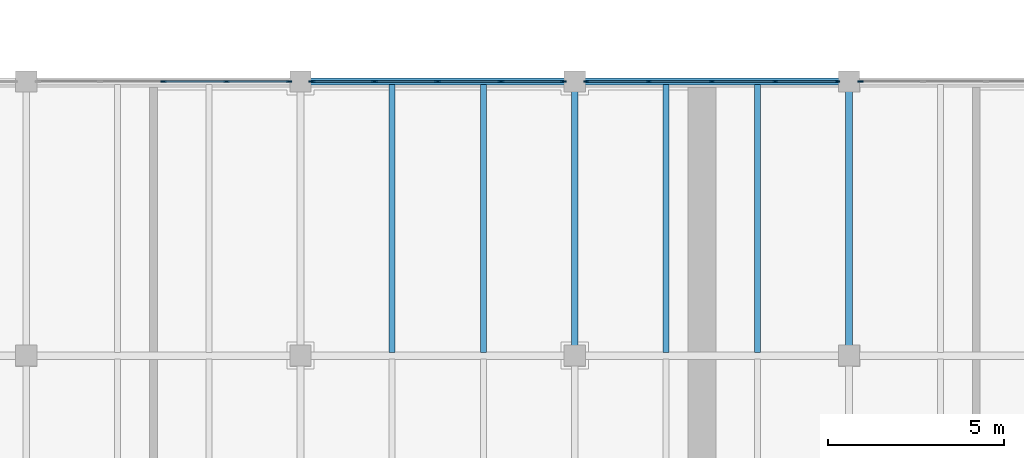
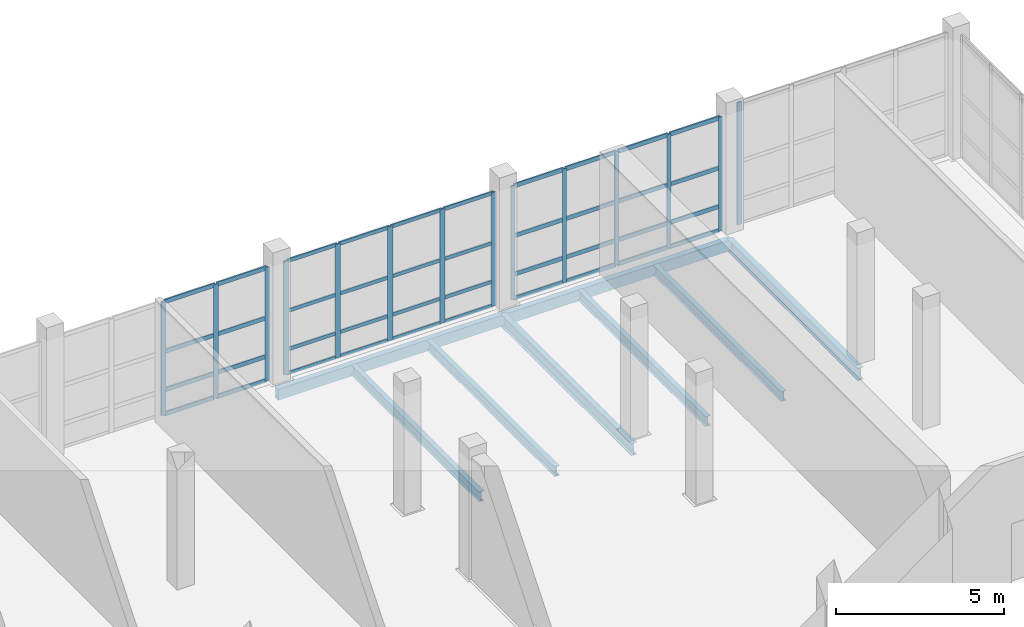
# One storey, part 44 of 131: 54 members, 8 beams, 4 elements without a shape of their own.
"""IFC4 building model written with IfcOpenShell, lengths in metres."""

from ifc_helpers import new_model, si_unit, direction, frame, origin, origin_2d, place, context, subcontext, project, spatial, rectangle, hollow_rectangle, i_section, extrude, material, layer, layer_set, material_profile, profile_set, type_object, element, aggregate, save


model = new_model("IFC4")

# Units and contexts
model_context = context("Model", 3, precision=1e-05, world=origin(), true_north=direction((0.0, 1.0)))
body_context = subcontext(model_context, "Body", "Model", "MODEL_VIEW")
ifc_project = project(units=[si_unit("LENGTHUNIT", "METRE"), si_unit("AREAUNIT", "SQUARE_METRE"), si_unit("VOLUMEUNIT", "CUBIC_METRE"), si_unit("PLANEANGLEUNIT", "RADIAN"), si_unit("MASSUNIT", "GRAM", prefix="KILO")], contexts=[model_context])

# Site, building, storey
site_placement = place(None, origin())
site = spatial("IfcSite", under=ifc_project, at=site_placement, CompositionType="ELEMENT")
building_placement = place(site_placement, origin())
building = spatial("IfcBuilding", under=site, at=building_placement, Name="Celorna Specialist Clinic", CompositionType="ELEMENT")
storey_placement = place(building_placement, origin())
storey = spatial("IfcBuildingStorey", under=building, at=storey_placement, Name="L00", CompositionType="ELEMENT", Elevation=0.0)

# Beams
ifc_material_1 = material(Name="Steel S355", Category="steel")
ifc_material_profile_1 = material_profile(ifc_material_1, i_section(OverallWidth=0.18994140625, OverallDepth=0.449951171875, WebThickness=0.009521484375, FlangeThickness=0.0146484375, at=origin_2d()), Name="IPE 450")
ifc_profile_set_1 = profile_set([ifc_material_profile_1], Name="Steel S355")
beam_type_1 = type_object("IfcBeamType", Name="BM-09", PredefinedType="BEAM", material=ifc_profile_set_1)
for number, where, z_axis, x_axis, name in (
    (1, (31.199951171875, 62.39990234375, -0.60498046875), (0.0, 1.0, 0.0), (-1.0, 0.0, 0.0), "Transverse girder BM-09 #290"),
    (2, (39.0, 62.39990234375, -0.60498046875), (0.0, 1.0, 0.0), (-1.0, 0.0, 0.0), "Transverse girder BM-09 #295"),
):
    element("IfcBeam", number, at=place(storey_placement, frame(where, z_axis=z_axis, x_axis=x_axis)), inside=storey, type_object=beam_type_1, Name=name, PredefinedType="BEAM", context=body_context, shape_type="SweptSolid", body=[
        extrude(i_section(OverallWidth=0.18994140625, OverallDepth=0.449951171875, WebThickness=0.009521484375, FlangeThickness=0.0146484375, at=origin_2d()), origin(), (0.0, 0.0, 1.0), 7.800048828125),
    ])
ifc_material_profile_2 = material_profile(ifc_material_1, i_section(OverallWidth=0.169921875, OverallDepth=0.360107421875, WebThickness=0.008056640625, FlangeThickness=0.0126953125, at=origin_2d()), Name="IPE 360")
ifc_profile_set_2 = profile_set([ifc_material_profile_2], Name="Steel S355")
beam_type_2 = type_object("IfcBeamType", Name="BM-11", PredefinedType="JOIST", material=ifc_profile_set_2)
for number, where, z_axis, x_axis, name in (
    (3, (26.0, 62.488037109375, -0.56005859375), (0.0, 1.0, 0.0), (-1.0, 0.0, 0.0), "Secondary floor joist BM-11 #335"),
    (4, (28.60009765625, 62.488037109375, -0.56005859375), (0.0, 1.0, 0.0), (-1.0, 0.0, 0.0), "Secondary floor joist BM-11 #336"),
    (5, (33.800048828125, 62.488037109375, -0.56005859375), (0.0, 1.0, 0.0), (-1.0, 0.0, 0.0), "Secondary floor joist BM-11 #345"),
    (6, (36.39990234375, 62.488037109375, -0.56005859375), (0.0, 1.0, 0.0), (-1.0, 0.0, 0.0), "Secondary floor joist BM-11 #346"),
):
    element("IfcBeam", number, at=place(storey_placement, frame(where, z_axis=z_axis, x_axis=x_axis)), inside=storey, type_object=beam_type_2, Name=name, PredefinedType="JOIST", context=body_context, shape_type="SweptSolid", body=[
        extrude(i_section(OverallWidth=0.169921875, OverallDepth=0.360107421875, WebThickness=0.008056640625, FlangeThickness=0.0126953125, at=origin_2d()), origin(), (0.0, 0.0, 1.0), 7.6240234375),
    ])
ifc_material_profile_3 = material_profile(ifc_material_1, hollow_rectangle(XDim=0.199951171875, YDim=0.39990234375, WallThickness=0.011962890625, at=origin_2d()), Name="RHS 200x400x12")
ifc_profile_set_3 = profile_set([ifc_material_profile_3], Name="Steel S355")
beam_type_3 = type_object("IfcBeamType", Name="BM-15", PredefinedType="SPANDREL", material=ifc_profile_set_3)
for number, where, z_axis, x_axis, name in (
    (7, (23.39990234375, 70.199951171875, -0.580078125), (1.0, 0.0, 0.0), (0.0, 1.0, 0.0), "Spandrel beam BM-15 #263"),
    (8, (31.199951171875, 70.199951171875, -0.580078125), (1.0, 0.0, 0.0), (0.0, 1.0, 0.0), "Spandrel beam BM-15 #264"),
):
    element("IfcBeam", number, at=place(storey_placement, frame(where, z_axis=z_axis, x_axis=x_axis)), inside=storey, type_object=beam_type_3, Name=name, PredefinedType="SPANDREL", context=body_context, shape_type="SweptSolid", body=[
        extrude(hollow_rectangle(XDim=0.199951171875, YDim=0.39990234375, WallThickness=0.011962890625, at=origin_2d()), origin(), (0.0, 0.0, 1.0), 7.800048828125),
    ])

# Curtain wall, members
ifc_material_2 = material(Name="Thermally broken aluminium and solar-control glass curtain wall", Category="aluminium")
ifc_layer_1 = layer(ifc_material_2, 0.159912109375, Name="Thermally broken aluminium and solar-control glass curtain wall")
ifc_layer_set_1 = layer_set([ifc_layer_1], Name="Thermally broken aluminium and solar-control glass curtain wall")
curtain_wall_type_1 = type_object("IfcCurtainWallType", Name="CW-16", PredefinedType="NOTDEFINED", material=ifc_layer_set_1)
curtain_wall_1_placement = place(storey_placement, origin())
curtain_wall_1 = element("IfcCurtainWall", 9, at=curtain_wall_1_placement, inside=storey, type_object=curtain_wall_type_1, Name="Curtain wall CW-16 #43", PredefinedType="NOTDEFINED")
ifc_material_3 = material(Name="Anodized aluminium mullion", Category="aluminium")
ifc_material_profile_4 = material_profile(ifc_material_3, rectangle(XDim=0.050048828125, YDim=0.159912109375, at=origin_2d()), Name="ALU MULLION 50x160")
ifc_profile_set_4 = profile_set([ifc_material_profile_4], Name="Anodized aluminium mullion")
member_type_1 = type_object("IfcMemberType", Name="ML-01", PredefinedType="MULLION", material=ifc_profile_set_4)
member_1_placement = place(storey_placement, frame((19.5, 70.199951171875, 0.0), z_axis=(0.0, 0.0, 1.0), x_axis=(0.0, 1.0, 0.0)))
member_1 = element("IfcMember", 10, at=member_1_placement, type_object=member_type_1, Name="CW-16 mullion 3", PredefinedType="MULLION", context=body_context, shape_type="SweptSolid", body=[
    extrude(rectangle(XDim=0.050048828125, YDim=0.159912109375, at=origin_2d()), origin(), (0.0, 0.0, 1.0), 4.139892578125),
])
member_2_placement = place(storey_placement, frame((21.298095703125, 70.199951171875, 0.0), z_axis=(0.0, 0.0, 1.0), x_axis=(0.0, 1.0, 0.0)))
member_2 = element("IfcMember", 11, at=member_2_placement, type_object=member_type_1, Name="CW-16 mullion 4", PredefinedType="MULLION", context=body_context, shape_type="SweptSolid", body=[
    extrude(rectangle(XDim=0.050048828125, YDim=0.159912109375, at=origin_2d()), origin(), (0.0, 0.0, 1.0), 4.139892578125),
])
member_3_placement = place(storey_placement, frame((23.071044921875, 70.199951171875, 0.0), z_axis=(0.0, 0.0, 1.0), x_axis=(0.0, 1.0, 0.0)))
member_3 = element("IfcMember", 12, at=member_3_placement, type_object=member_type_1, Name="CW-16 mullion 5", PredefinedType="MULLION", context=body_context, shape_type="SweptSolid", body=[
    extrude(rectangle(XDim=0.050048828125, YDim=0.159912109375, at=origin_2d()), origin(), (0.0, 0.0, 1.0), 4.139892578125),
])

# Curtain wall, member
ifc_layer_2 = layer(ifc_material_2, 0.159912109375, Name="Thermally broken aluminium and solar-control glass curtain wall")
ifc_layer_set_2 = layer_set([ifc_layer_2], Name="Thermally broken aluminium and solar-control glass curtain wall")
curtain_wall_type_2 = type_object("IfcCurtainWallType", Name="CW-18", PredefinedType="NOTDEFINED", material=ifc_layer_set_2)
curtain_wall_2_placement = place(storey_placement, origin())
curtain_wall_2 = element("IfcCurtainWall", 13, at=curtain_wall_2_placement, inside=storey, type_object=curtain_wall_type_2, Name="Curtain wall CW-18 #46", PredefinedType="NOTDEFINED")
member_4_placement = place(storey_placement, frame((39.3291015625, 70.199951171875, 0.0), z_axis=(0.0, 0.0, 1.0), x_axis=(0.0, 1.0, 0.0)))
member_4 = element("IfcMember", 14, at=member_4_placement, type_object=member_type_1, Name="CW-18 mullion 1", PredefinedType="MULLION", context=body_context, shape_type="SweptSolid", body=[
    extrude(rectangle(XDim=0.050048828125, YDim=0.159912109375, at=origin_2d()), origin(), (0.0, 0.0, 1.0), 4.4599609375),
])
aggregate(curtain_wall_2, [member_4])

# Curtain wall, members
ifc_layer_3 = layer(ifc_material_2, 0.159912109375, Name="Thermally broken aluminium and solar-control glass curtain wall")
ifc_layer_set_3 = layer_set([ifc_layer_3], Name="Thermally broken aluminium and solar-control glass curtain wall")
curtain_wall_type_3 = type_object("IfcCurtainWallType", Name="CW-17", PredefinedType="NOTDEFINED", material=ifc_layer_set_3)
curtain_wall_3_placement = place(storey_placement, origin())
curtain_wall_3 = element("IfcCurtainWall", 15, at=curtain_wall_3_placement, inside=storey, type_object=curtain_wall_type_3, Name="Curtain wall CW-17 #44", PredefinedType="NOTDEFINED")
ifc_material_profile_5 = material_profile(ifc_material_3, rectangle(XDim=0.050048828125, YDim=0.179931640625, at=origin_2d()), Name="ALU MULLION 50x180")
ifc_profile_set_5 = profile_set([ifc_material_profile_5], Name="Anodized aluminium mullion")
member_type_2 = type_object("IfcMemberType", Name="ML-02", PredefinedType="MULLION", material=ifc_profile_set_5)
member_5_placement = place(storey_placement, frame((23.72900390625, 70.199951171875, 0.0), z_axis=(0.0, 0.0, 1.0), x_axis=(0.0, 1.0, 0.0)))
member_5 = element("IfcMember", 16, at=member_5_placement, type_object=member_type_2, Name="CW-17 mullion 1", PredefinedType="MULLION", context=body_context, shape_type="SweptSolid", body=[
    extrude(rectangle(XDim=0.050048828125, YDim=0.179931640625, at=origin_2d()), origin(), (0.0, 0.0, 1.0), 4.139892578125),
])
member_6_placement = place(storey_placement, frame((25.501953125, 70.199951171875, 0.0), z_axis=(0.0, 0.0, 1.0), x_axis=(0.0, 1.0, 0.0)))
member_6 = element("IfcMember", 17, at=member_6_placement, type_object=member_type_2, Name="CW-17 mullion 2", PredefinedType="MULLION", context=body_context, shape_type="SweptSolid", body=[
    extrude(rectangle(XDim=0.050048828125, YDim=0.179931640625, at=origin_2d()), origin(), (0.0, 0.0, 1.0), 4.139892578125),
])
member_7_placement = place(storey_placement, frame((27.300048828125, 70.199951171875, 0.0), z_axis=(0.0, 0.0, 1.0), x_axis=(0.0, 1.0, 0.0)))
member_7 = element("IfcMember", 18, at=member_7_placement, type_object=member_type_2, Name="CW-17 mullion 3", PredefinedType="MULLION", context=body_context, shape_type="SweptSolid", body=[
    extrude(rectangle(XDim=0.050048828125, YDim=0.179931640625, at=origin_2d()), origin(), (0.0, 0.0, 1.0), 4.139892578125),
])
member_8_placement = place(storey_placement, frame((29.097900390625, 70.199951171875, 0.0), z_axis=(0.0, 0.0, 1.0), x_axis=(0.0, 1.0, 0.0)))
member_8 = element("IfcMember", 19, at=member_8_placement, type_object=member_type_2, Name="CW-17 mullion 4", PredefinedType="MULLION", context=body_context, shape_type="SweptSolid", body=[
    extrude(rectangle(XDim=0.050048828125, YDim=0.179931640625, at=origin_2d()), origin(), (0.0, 0.0, 1.0), 4.139892578125),
])
member_9_placement = place(storey_placement, frame((30.87109375, 70.199951171875, 0.0), z_axis=(0.0, 0.0, 1.0), x_axis=(0.0, 1.0, 0.0)))
member_9 = element("IfcMember", 20, at=member_9_placement, type_object=member_type_2, Name="CW-17 mullion 5", PredefinedType="MULLION", context=body_context, shape_type="SweptSolid", body=[
    extrude(rectangle(XDim=0.050048828125, YDim=0.179931640625, at=origin_2d()), origin(), (0.0, 0.0, 1.0), 4.139892578125),
])

ifc_layer_4 = layer(ifc_material_2, 0.159912109375, Name="Thermally broken aluminium and solar-control glass curtain wall")
ifc_layer_set_4 = layer_set([ifc_layer_4], Name="Thermally broken aluminium and solar-control glass curtain wall")
curtain_wall_type_4 = type_object("IfcCurtainWallType", Name="CW-15", PredefinedType="NOTDEFINED", material=ifc_layer_set_4)
curtain_wall_4_placement = place(storey_placement, origin())
curtain_wall_4 = element("IfcCurtainWall", 21, at=curtain_wall_4_placement, inside=storey, type_object=curtain_wall_type_4, Name="Curtain wall CW-15 #45", PredefinedType="NOTDEFINED")
ifc_material_profile_6 = material_profile(ifc_material_3, rectangle(XDim=0.050048828125, YDim=0.139892578125, at=origin_2d()), Name="ALU MULLION 50x140")
ifc_profile_set_6 = profile_set([ifc_material_profile_6], Name="Anodized aluminium mullion")
member_type_3 = type_object("IfcMemberType", Name="ML-03", PredefinedType="MULLION", material=ifc_profile_set_6)
member_10_placement = place(storey_placement, frame((31.529052734375, 70.199951171875, 0.0), z_axis=(0.0, 0.0, 1.0), x_axis=(0.0, 1.0, 0.0)))
member_10 = element("IfcMember", 22, at=member_10_placement, type_object=member_type_3, Name="CW-15 mullion 1", PredefinedType="MULLION", context=body_context, shape_type="SweptSolid", body=[
    extrude(rectangle(XDim=0.050048828125, YDim=0.139892578125, at=origin_2d()), origin(), (0.0, 0.0, 1.0), 4.139892578125),
])
member_11_placement = place(storey_placement, frame((33.302001953125, 70.199951171875, 0.0), z_axis=(0.0, 0.0, 1.0), x_axis=(0.0, 1.0, 0.0)))
member_11 = element("IfcMember", 23, at=member_11_placement, type_object=member_type_3, Name="CW-15 mullion 2", PredefinedType="MULLION", context=body_context, shape_type="SweptSolid", body=[
    extrude(rectangle(XDim=0.050048828125, YDim=0.139892578125, at=origin_2d()), origin(), (0.0, 0.0, 1.0), 4.139892578125),
])
member_12_placement = place(storey_placement, frame((35.10009765625, 70.199951171875, 0.0), z_axis=(0.0, 0.0, 1.0), x_axis=(0.0, 1.0, 0.0)))
member_12 = element("IfcMember", 24, at=member_12_placement, type_object=member_type_3, Name="CW-15 mullion 3", PredefinedType="MULLION", context=body_context, shape_type="SweptSolid", body=[
    extrude(rectangle(XDim=0.050048828125, YDim=0.139892578125, at=origin_2d()), origin(), (0.0, 0.0, 1.0), 4.139892578125),
])
member_13_placement = place(storey_placement, frame((36.89794921875, 70.199951171875, 0.0), z_axis=(0.0, 0.0, 1.0), x_axis=(0.0, 1.0, 0.0)))
member_13 = element("IfcMember", 25, at=member_13_placement, type_object=member_type_3, Name="CW-15 mullion 4", PredefinedType="MULLION", context=body_context, shape_type="SweptSolid", body=[
    extrude(rectangle(XDim=0.050048828125, YDim=0.139892578125, at=origin_2d()), origin(), (0.0, 0.0, 1.0), 4.139892578125),
])
member_14_placement = place(storey_placement, frame((38.6708984375, 70.199951171875, 0.0), z_axis=(0.0, 0.0, 1.0), x_axis=(0.0, 1.0, 0.0)))
member_14 = element("IfcMember", 26, at=member_14_placement, type_object=member_type_3, Name="CW-15 mullion 5", PredefinedType="MULLION", context=body_context, shape_type="SweptSolid", body=[
    extrude(rectangle(XDim=0.050048828125, YDim=0.139892578125, at=origin_2d()), origin(), (0.0, 0.0, 1.0), 4.139892578125),
])

# Member
ifc_material_4 = material(Name="Anodized aluminium transom", Category="aluminium")
ifc_material_profile_7 = material_profile(ifc_material_4, rectangle(XDim=0.050048828125, YDim=0.1298828125, at=origin_2d()), Name="ALU TRANSOM 50x130")
ifc_profile_set_7 = profile_set([ifc_material_profile_7], Name="Anodized aluminium transom")
member_type_4 = type_object("IfcMemberType", Name="TR-01", PredefinedType="USERDEFINED", material=ifc_profile_set_7)
member_15_placement = place(storey_placement, frame((23.75390625, 70.199951171875, 0.02490234375), z_axis=(1.0, 0.0, 0.0), x_axis=(0.0, 1.0, 0.0)))
member_15 = element("IfcMember", 27, at=member_15_placement, type_object=member_type_4, Name="CW-17 transom 1.1", ObjectType="TRANSOM", PredefinedType="USERDEFINED", context=body_context, shape_type="SweptSolid", body=[
    extrude(rectangle(XDim=0.050048828125, YDim=0.1298828125, at=origin_2d()), origin(), (0.0, 0.0, 1.0), 1.72314453125),
])

member_16_placement = place(storey_placement, frame((23.75390625, 70.199951171875, 0.89990234375), z_axis=(1.0, 0.0, 0.0), x_axis=(0.0, 1.0, 0.0)))
member_16 = element("IfcMember", 28, at=member_16_placement, type_object=member_type_4, Name="CW-17 transom 1.2", ObjectType="TRANSOM", PredefinedType="USERDEFINED", context=body_context, shape_type="SweptSolid", body=[
    extrude(rectangle(XDim=0.050048828125, YDim=0.1298828125, at=origin_2d()), origin(), (0.0, 0.0, 1.0), 1.72314453125),
])

member_17_placement = place(storey_placement, frame((23.75390625, 70.199951171875, 2.300048828125), z_axis=(1.0, 0.0, 0.0), x_axis=(0.0, 1.0, 0.0)))
member_17 = element("IfcMember", 29, at=member_17_placement, type_object=member_type_4, Name="CW-17 transom 1.3", ObjectType="TRANSOM", PredefinedType="USERDEFINED", context=body_context, shape_type="SweptSolid", body=[
    extrude(rectangle(XDim=0.050048828125, YDim=0.1298828125, at=origin_2d()), origin(), (0.0, 0.0, 1.0), 1.72314453125),
])

member_18_placement = place(storey_placement, frame((23.75390625, 70.199951171875, 4.114990234375), z_axis=(1.0, 0.0, 0.0), x_axis=(0.0, 1.0, 0.0)))
member_18 = element("IfcMember", 30, at=member_18_placement, type_object=member_type_4, Name="CW-17 transom 1.4", ObjectType="TRANSOM", PredefinedType="USERDEFINED", context=body_context, shape_type="SweptSolid", body=[
    extrude(rectangle(XDim=0.050048828125, YDim=0.1298828125, at=origin_2d()), origin(), (0.0, 0.0, 1.0), 1.72314453125),
])

member_19_placement = place(storey_placement, frame((25.527099609375, 70.199951171875, 0.02490234375), z_axis=(1.0, 0.0, 0.0), x_axis=(0.0, 1.0, 0.0)))
member_19 = element("IfcMember", 31, at=member_19_placement, type_object=member_type_4, Name="CW-17 transom 2.1", ObjectType="TRANSOM", PredefinedType="USERDEFINED", context=body_context, shape_type="SweptSolid", body=[
    extrude(rectangle(XDim=0.050048828125, YDim=0.1298828125, at=origin_2d()), origin(), (0.0, 0.0, 1.0), 1.747802734375),
])

member_20_placement = place(storey_placement, frame((25.527099609375, 70.199951171875, 0.89990234375), z_axis=(1.0, 0.0, 0.0), x_axis=(0.0, 1.0, 0.0)))
member_20 = element("IfcMember", 32, at=member_20_placement, type_object=member_type_4, Name="CW-17 transom 2.2", ObjectType="TRANSOM", PredefinedType="USERDEFINED", context=body_context, shape_type="SweptSolid", body=[
    extrude(rectangle(XDim=0.050048828125, YDim=0.1298828125, at=origin_2d()), origin(), (0.0, 0.0, 1.0), 1.747802734375),
])

member_21_placement = place(storey_placement, frame((25.527099609375, 70.199951171875, 2.300048828125), z_axis=(1.0, 0.0, 0.0), x_axis=(0.0, 1.0, 0.0)))
member_21 = element("IfcMember", 33, at=member_21_placement, type_object=member_type_4, Name="CW-17 transom 2.3", ObjectType="TRANSOM", PredefinedType="USERDEFINED", context=body_context, shape_type="SweptSolid", body=[
    extrude(rectangle(XDim=0.050048828125, YDim=0.1298828125, at=origin_2d()), origin(), (0.0, 0.0, 1.0), 1.747802734375),
])

member_22_placement = place(storey_placement, frame((25.527099609375, 70.199951171875, 4.114990234375), z_axis=(1.0, 0.0, 0.0), x_axis=(0.0, 1.0, 0.0)))
member_22 = element("IfcMember", 34, at=member_22_placement, type_object=member_type_4, Name="CW-17 transom 2.4", ObjectType="TRANSOM", PredefinedType="USERDEFINED", context=body_context, shape_type="SweptSolid", body=[
    extrude(rectangle(XDim=0.050048828125, YDim=0.1298828125, at=origin_2d()), origin(), (0.0, 0.0, 1.0), 1.747802734375),
])

member_23_placement = place(storey_placement, frame((27.324951171875, 70.199951171875, 0.02490234375), z_axis=(1.0, 0.0, 0.0), x_axis=(0.0, 1.0, 0.0)))
member_23 = element("IfcMember", 35, at=member_23_placement, type_object=member_type_4, Name="CW-17 transom 3.1", ObjectType="TRANSOM", PredefinedType="USERDEFINED", context=body_context, shape_type="SweptSolid", body=[
    extrude(rectangle(XDim=0.050048828125, YDim=0.1298828125, at=origin_2d()), origin(), (0.0, 0.0, 1.0), 1.748046875),
])

member_24_placement = place(storey_placement, frame((27.324951171875, 70.199951171875, 0.89990234375), z_axis=(1.0, 0.0, 0.0), x_axis=(0.0, 1.0, 0.0)))
member_24 = element("IfcMember", 36, at=member_24_placement, type_object=member_type_4, Name="CW-17 transom 3.2", ObjectType="TRANSOM", PredefinedType="USERDEFINED", context=body_context, shape_type="SweptSolid", body=[
    extrude(rectangle(XDim=0.050048828125, YDim=0.1298828125, at=origin_2d()), origin(), (0.0, 0.0, 1.0), 1.748046875),
])

member_25_placement = place(storey_placement, frame((27.324951171875, 70.199951171875, 2.300048828125), z_axis=(1.0, 0.0, 0.0), x_axis=(0.0, 1.0, 0.0)))
member_25 = element("IfcMember", 37, at=member_25_placement, type_object=member_type_4, Name="CW-17 transom 3.3", ObjectType="TRANSOM", PredefinedType="USERDEFINED", context=body_context, shape_type="SweptSolid", body=[
    extrude(rectangle(XDim=0.050048828125, YDim=0.1298828125, at=origin_2d()), origin(), (0.0, 0.0, 1.0), 1.748046875),
])

member_26_placement = place(storey_placement, frame((27.324951171875, 70.199951171875, 4.114990234375), z_axis=(1.0, 0.0, 0.0), x_axis=(0.0, 1.0, 0.0)))
member_26 = element("IfcMember", 38, at=member_26_placement, type_object=member_type_4, Name="CW-17 transom 3.4", ObjectType="TRANSOM", PredefinedType="USERDEFINED", context=body_context, shape_type="SweptSolid", body=[
    extrude(rectangle(XDim=0.050048828125, YDim=0.1298828125, at=origin_2d()), origin(), (0.0, 0.0, 1.0), 1.748046875),
])

member_27_placement = place(storey_placement, frame((29.123046875, 70.199951171875, 0.02490234375), z_axis=(1.0, 0.0, 0.0), x_axis=(0.0, 1.0, 0.0)))
member_27 = element("IfcMember", 39, at=member_27_placement, type_object=member_type_4, Name="CW-17 transom 4.1", ObjectType="TRANSOM", PredefinedType="USERDEFINED", context=body_context, shape_type="SweptSolid", body=[
    extrude(rectangle(XDim=0.050048828125, YDim=0.1298828125, at=origin_2d()), origin(), (0.0, 0.0, 1.0), 1.722900390625),
])

member_28_placement = place(storey_placement, frame((29.123046875, 70.199951171875, 0.89990234375), z_axis=(1.0, 0.0, 0.0), x_axis=(0.0, 1.0, 0.0)))
member_28 = element("IfcMember", 40, at=member_28_placement, type_object=member_type_4, Name="CW-17 transom 4.2", ObjectType="TRANSOM", PredefinedType="USERDEFINED", context=body_context, shape_type="SweptSolid", body=[
    extrude(rectangle(XDim=0.050048828125, YDim=0.1298828125, at=origin_2d()), origin(), (0.0, 0.0, 1.0), 1.722900390625),
])

member_29_placement = place(storey_placement, frame((29.123046875, 70.199951171875, 2.300048828125), z_axis=(1.0, 0.0, 0.0), x_axis=(0.0, 1.0, 0.0)))
member_29 = element("IfcMember", 41, at=member_29_placement, type_object=member_type_4, Name="CW-17 transom 4.3", ObjectType="TRANSOM", PredefinedType="USERDEFINED", context=body_context, shape_type="SweptSolid", body=[
    extrude(rectangle(XDim=0.050048828125, YDim=0.1298828125, at=origin_2d()), origin(), (0.0, 0.0, 1.0), 1.722900390625),
])

member_30_placement = place(storey_placement, frame((29.123046875, 70.199951171875, 4.114990234375), z_axis=(1.0, 0.0, 0.0), x_axis=(0.0, 1.0, 0.0)))
member_30 = element("IfcMember", 42, at=member_30_placement, type_object=member_type_4, Name="CW-17 transom 4.4", ObjectType="TRANSOM", PredefinedType="USERDEFINED", context=body_context, shape_type="SweptSolid", body=[
    extrude(rectangle(XDim=0.050048828125, YDim=0.1298828125, at=origin_2d()), origin(), (0.0, 0.0, 1.0), 1.722900390625),
])

aggregate(curtain_wall_3, [member_5, member_6, member_7, member_8, member_9, member_15, member_16, member_17, member_18, member_19, member_20, member_21, member_22, member_23, member_24, member_25, member_26, member_27, member_28, member_29, member_30])

ifc_material_profile_8 = material_profile(ifc_material_4, rectangle(XDim=0.050048828125, YDim=0.14990234375, at=origin_2d()), Name="ALU TRANSOM 50x150")
ifc_profile_set_8 = profile_set([ifc_material_profile_8], Name="Anodized aluminium transom")
member_type_5 = type_object("IfcMemberType", Name="TR-02", PredefinedType="USERDEFINED", material=ifc_profile_set_8)
member_31_placement = place(storey_placement, frame((19.52490234375, 70.199951171875, 0.02490234375), z_axis=(1.0, 0.0, 0.0), x_axis=(0.0, 1.0, 0.0)))
member_31 = element("IfcMember", 43, at=member_31_placement, type_object=member_type_5, Name="CW-16 transom 3.1", ObjectType="TRANSOM", PredefinedType="USERDEFINED", context=body_context, shape_type="SweptSolid", body=[
    extrude(rectangle(XDim=0.050048828125, YDim=0.14990234375, at=origin_2d()), origin(), (0.0, 0.0, 1.0), 1.748046875),
])

member_32_placement = place(storey_placement, frame((19.52490234375, 70.199951171875, 0.89990234375), z_axis=(1.0, 0.0, 0.0), x_axis=(0.0, 1.0, 0.0)))
member_32 = element("IfcMember", 44, at=member_32_placement, type_object=member_type_5, Name="CW-16 transom 3.2", ObjectType="TRANSOM", PredefinedType="USERDEFINED", context=body_context, shape_type="SweptSolid", body=[
    extrude(rectangle(XDim=0.050048828125, YDim=0.14990234375, at=origin_2d()), origin(), (0.0, 0.0, 1.0), 1.748046875),
])

member_33_placement = place(storey_placement, frame((19.52490234375, 70.199951171875, 2.300048828125), z_axis=(1.0, 0.0, 0.0), x_axis=(0.0, 1.0, 0.0)))
member_33 = element("IfcMember", 45, at=member_33_placement, type_object=member_type_5, Name="CW-16 transom 3.3", ObjectType="TRANSOM", PredefinedType="USERDEFINED", context=body_context, shape_type="SweptSolid", body=[
    extrude(rectangle(XDim=0.050048828125, YDim=0.14990234375, at=origin_2d()), origin(), (0.0, 0.0, 1.0), 1.748046875),
])

member_34_placement = place(storey_placement, frame((19.52490234375, 70.199951171875, 4.114990234375), z_axis=(1.0, 0.0, 0.0), x_axis=(0.0, 1.0, 0.0)))
member_34 = element("IfcMember", 46, at=member_34_placement, type_object=member_type_5, Name="CW-16 transom 3.4", ObjectType="TRANSOM", PredefinedType="USERDEFINED", context=body_context, shape_type="SweptSolid", body=[
    extrude(rectangle(XDim=0.050048828125, YDim=0.14990234375, at=origin_2d()), origin(), (0.0, 0.0, 1.0), 1.748046875),
])

member_35_placement = place(storey_placement, frame((21.322998046875, 70.199951171875, 0.02490234375), z_axis=(1.0, 0.0, 0.0), x_axis=(0.0, 1.0, 0.0)))
member_35 = element("IfcMember", 47, at=member_35_placement, type_object=member_type_5, Name="CW-16 transom 4.1", ObjectType="TRANSOM", PredefinedType="USERDEFINED", context=body_context, shape_type="SweptSolid", body=[
    extrude(rectangle(XDim=0.050048828125, YDim=0.14990234375, at=origin_2d()), origin(), (0.0, 0.0, 1.0), 1.722900390625),
])

member_36_placement = place(storey_placement, frame((21.322998046875, 70.199951171875, 0.89990234375), z_axis=(1.0, 0.0, 0.0), x_axis=(0.0, 1.0, 0.0)))
member_36 = element("IfcMember", 48, at=member_36_placement, type_object=member_type_5, Name="CW-16 transom 4.2", ObjectType="TRANSOM", PredefinedType="USERDEFINED", context=body_context, shape_type="SweptSolid", body=[
    extrude(rectangle(XDim=0.050048828125, YDim=0.14990234375, at=origin_2d()), origin(), (0.0, 0.0, 1.0), 1.722900390625),
])

member_37_placement = place(storey_placement, frame((21.322998046875, 70.199951171875, 2.300048828125), z_axis=(1.0, 0.0, 0.0), x_axis=(0.0, 1.0, 0.0)))
member_37 = element("IfcMember", 49, at=member_37_placement, type_object=member_type_5, Name="CW-16 transom 4.3", ObjectType="TRANSOM", PredefinedType="USERDEFINED", context=body_context, shape_type="SweptSolid", body=[
    extrude(rectangle(XDim=0.050048828125, YDim=0.14990234375, at=origin_2d()), origin(), (0.0, 0.0, 1.0), 1.722900390625),
])

member_38_placement = place(storey_placement, frame((21.322998046875, 70.199951171875, 4.114990234375), z_axis=(1.0, 0.0, 0.0), x_axis=(0.0, 1.0, 0.0)))
member_38 = element("IfcMember", 50, at=member_38_placement, type_object=member_type_5, Name="CW-16 transom 4.4", ObjectType="TRANSOM", PredefinedType="USERDEFINED", context=body_context, shape_type="SweptSolid", body=[
    extrude(rectangle(XDim=0.050048828125, YDim=0.14990234375, at=origin_2d()), origin(), (0.0, 0.0, 1.0), 1.722900390625),
])

aggregate(curtain_wall_1, [member_1, member_2, member_3, member_31, member_32, member_33, member_34, member_35, member_36, member_37, member_38])

member_39_placement = place(storey_placement, frame((31.553955078125, 70.199951171875, 0.02490234375), z_axis=(1.0, 0.0, 0.0), x_axis=(0.0, 1.0, 0.0)))
member_39 = element("IfcMember", 51, at=member_39_placement, type_object=member_type_5, Name="CW-15 transom 1.1", ObjectType="TRANSOM", PredefinedType="USERDEFINED", context=body_context, shape_type="SweptSolid", body=[
    extrude(rectangle(XDim=0.050048828125, YDim=0.14990234375, at=origin_2d()), origin(), (0.0, 0.0, 1.0), 1.72314453125),
])

member_40_placement = place(storey_placement, frame((31.553955078125, 70.199951171875, 0.89990234375), z_axis=(1.0, 0.0, 0.0), x_axis=(0.0, 1.0, 0.0)))
member_40 = element("IfcMember", 52, at=member_40_placement, type_object=member_type_5, Name="CW-15 transom 1.2", ObjectType="TRANSOM", PredefinedType="USERDEFINED", context=body_context, shape_type="SweptSolid", body=[
    extrude(rectangle(XDim=0.050048828125, YDim=0.14990234375, at=origin_2d()), origin(), (0.0, 0.0, 1.0), 1.72314453125),
])

member_41_placement = place(storey_placement, frame((31.553955078125, 70.199951171875, 2.300048828125), z_axis=(1.0, 0.0, 0.0), x_axis=(0.0, 1.0, 0.0)))
member_41 = element("IfcMember", 53, at=member_41_placement, type_object=member_type_5, Name="CW-15 transom 1.3", ObjectType="TRANSOM", PredefinedType="USERDEFINED", context=body_context, shape_type="SweptSolid", body=[
    extrude(rectangle(XDim=0.050048828125, YDim=0.14990234375, at=origin_2d()), origin(), (0.0, 0.0, 1.0), 1.72314453125),
])

member_42_placement = place(storey_placement, frame((31.553955078125, 70.199951171875, 4.114990234375), z_axis=(1.0, 0.0, 0.0), x_axis=(0.0, 1.0, 0.0)))
member_42 = element("IfcMember", 54, at=member_42_placement, type_object=member_type_5, Name="CW-15 transom 1.4", ObjectType="TRANSOM", PredefinedType="USERDEFINED", context=body_context, shape_type="SweptSolid", body=[
    extrude(rectangle(XDim=0.050048828125, YDim=0.14990234375, at=origin_2d()), origin(), (0.0, 0.0, 1.0), 1.72314453125),
])

member_43_placement = place(storey_placement, frame((33.326904296875, 70.199951171875, 0.02490234375), z_axis=(1.0, 0.0, 0.0), x_axis=(0.0, 1.0, 0.0)))
member_43 = element("IfcMember", 55, at=member_43_placement, type_object=member_type_5, Name="CW-15 transom 2.1", ObjectType="TRANSOM", PredefinedType="USERDEFINED", context=body_context, shape_type="SweptSolid", body=[
    extrude(rectangle(XDim=0.050048828125, YDim=0.14990234375, at=origin_2d()), origin(), (0.0, 0.0, 1.0), 1.748046875),
])

member_44_placement = place(storey_placement, frame((33.326904296875, 70.199951171875, 0.89990234375), z_axis=(1.0, 0.0, 0.0), x_axis=(0.0, 1.0, 0.0)))
member_44 = element("IfcMember", 56, at=member_44_placement, type_object=member_type_5, Name="CW-15 transom 2.2", ObjectType="TRANSOM", PredefinedType="USERDEFINED", context=body_context, shape_type="SweptSolid", body=[
    extrude(rectangle(XDim=0.050048828125, YDim=0.14990234375, at=origin_2d()), origin(), (0.0, 0.0, 1.0), 1.748046875),
])

member_45_placement = place(storey_placement, frame((33.326904296875, 70.199951171875, 2.300048828125), z_axis=(1.0, 0.0, 0.0), x_axis=(0.0, 1.0, 0.0)))
member_45 = element("IfcMember", 57, at=member_45_placement, type_object=member_type_5, Name="CW-15 transom 2.3", ObjectType="TRANSOM", PredefinedType="USERDEFINED", context=body_context, shape_type="SweptSolid", body=[
    extrude(rectangle(XDim=0.050048828125, YDim=0.14990234375, at=origin_2d()), origin(), (0.0, 0.0, 1.0), 1.748046875),
])

member_46_placement = place(storey_placement, frame((33.326904296875, 70.199951171875, 4.114990234375), z_axis=(1.0, 0.0, 0.0), x_axis=(0.0, 1.0, 0.0)))
member_46 = element("IfcMember", 58, at=member_46_placement, type_object=member_type_5, Name="CW-15 transom 2.4", ObjectType="TRANSOM", PredefinedType="USERDEFINED", context=body_context, shape_type="SweptSolid", body=[
    extrude(rectangle(XDim=0.050048828125, YDim=0.14990234375, at=origin_2d()), origin(), (0.0, 0.0, 1.0), 1.748046875),
])

member_47_placement = place(storey_placement, frame((35.125, 70.199951171875, 0.02490234375), z_axis=(1.0, 0.0, 0.0), x_axis=(0.0, 1.0, 0.0)))
member_47 = element("IfcMember", 59, at=member_47_placement, type_object=member_type_5, Name="CW-15 transom 3.1", ObjectType="TRANSOM", PredefinedType="USERDEFINED", context=body_context, shape_type="SweptSolid", body=[
    extrude(rectangle(XDim=0.050048828125, YDim=0.14990234375, at=origin_2d()), origin(), (0.0, 0.0, 1.0), 1.748046875),
])

member_48_placement = place(storey_placement, frame((35.125, 70.199951171875, 0.89990234375), z_axis=(1.0, 0.0, 0.0), x_axis=(0.0, 1.0, 0.0)))
member_48 = element("IfcMember", 60, at=member_48_placement, type_object=member_type_5, Name="CW-15 transom 3.2", ObjectType="TRANSOM", PredefinedType="USERDEFINED", context=body_context, shape_type="SweptSolid", body=[
    extrude(rectangle(XDim=0.050048828125, YDim=0.14990234375, at=origin_2d()), origin(), (0.0, 0.0, 1.0), 1.748046875),
])

member_49_placement = place(storey_placement, frame((35.125, 70.199951171875, 2.300048828125), z_axis=(1.0, 0.0, 0.0), x_axis=(0.0, 1.0, 0.0)))
member_49 = element("IfcMember", 61, at=member_49_placement, type_object=member_type_5, Name="CW-15 transom 3.3", ObjectType="TRANSOM", PredefinedType="USERDEFINED", context=body_context, shape_type="SweptSolid", body=[
    extrude(rectangle(XDim=0.050048828125, YDim=0.14990234375, at=origin_2d()), origin(), (0.0, 0.0, 1.0), 1.748046875),
])

member_50_placement = place(storey_placement, frame((35.125, 70.199951171875, 4.114990234375), z_axis=(1.0, 0.0, 0.0), x_axis=(0.0, 1.0, 0.0)))
member_50 = element("IfcMember", 62, at=member_50_placement, type_object=member_type_5, Name="CW-15 transom 3.4", ObjectType="TRANSOM", PredefinedType="USERDEFINED", context=body_context, shape_type="SweptSolid", body=[
    extrude(rectangle(XDim=0.050048828125, YDim=0.14990234375, at=origin_2d()), origin(), (0.0, 0.0, 1.0), 1.748046875),
])

member_51_placement = place(storey_placement, frame((36.923095703125, 70.199951171875, 0.02490234375), z_axis=(1.0, 0.0, 0.0), x_axis=(0.0, 1.0, 0.0)))
member_51 = element("IfcMember", 63, at=member_51_placement, type_object=member_type_5, Name="CW-15 transom 4.1", ObjectType="TRANSOM", PredefinedType="USERDEFINED", context=body_context, shape_type="SweptSolid", body=[
    extrude(rectangle(XDim=0.050048828125, YDim=0.14990234375, at=origin_2d()), origin(), (0.0, 0.0, 1.0), 1.722900390625),
])

member_52_placement = place(storey_placement, frame((36.923095703125, 70.199951171875, 0.89990234375), z_axis=(1.0, 0.0, 0.0), x_axis=(0.0, 1.0, 0.0)))
member_52 = element("IfcMember", 64, at=member_52_placement, type_object=member_type_5, Name="CW-15 transom 4.2", ObjectType="TRANSOM", PredefinedType="USERDEFINED", context=body_context, shape_type="SweptSolid", body=[
    extrude(rectangle(XDim=0.050048828125, YDim=0.14990234375, at=origin_2d()), origin(), (0.0, 0.0, 1.0), 1.722900390625),
])

member_53_placement = place(storey_placement, frame((36.923095703125, 70.199951171875, 2.300048828125), z_axis=(1.0, 0.0, 0.0), x_axis=(0.0, 1.0, 0.0)))
member_53 = element("IfcMember", 65, at=member_53_placement, type_object=member_type_5, Name="CW-15 transom 4.3", ObjectType="TRANSOM", PredefinedType="USERDEFINED", context=body_context, shape_type="SweptSolid", body=[
    extrude(rectangle(XDim=0.050048828125, YDim=0.14990234375, at=origin_2d()), origin(), (0.0, 0.0, 1.0), 1.722900390625),
])

member_54_placement = place(storey_placement, frame((36.923095703125, 70.199951171875, 4.114990234375), z_axis=(1.0, 0.0, 0.0), x_axis=(0.0, 1.0, 0.0)))
member_54 = element("IfcMember", 66, at=member_54_placement, type_object=member_type_5, Name="CW-15 transom 4.4", ObjectType="TRANSOM", PredefinedType="USERDEFINED", context=body_context, shape_type="SweptSolid", body=[
    extrude(rectangle(XDim=0.050048828125, YDim=0.14990234375, at=origin_2d()), origin(), (0.0, 0.0, 1.0), 1.722900390625),
])

aggregate(curtain_wall_4, [member_10, member_11, member_12, member_13, member_14, member_39, member_40, member_41, member_42, member_43, member_44, member_45, member_46, member_47, member_48, member_49, member_50, member_51, member_52, member_53, member_54])

save(model, "model.ifc")
